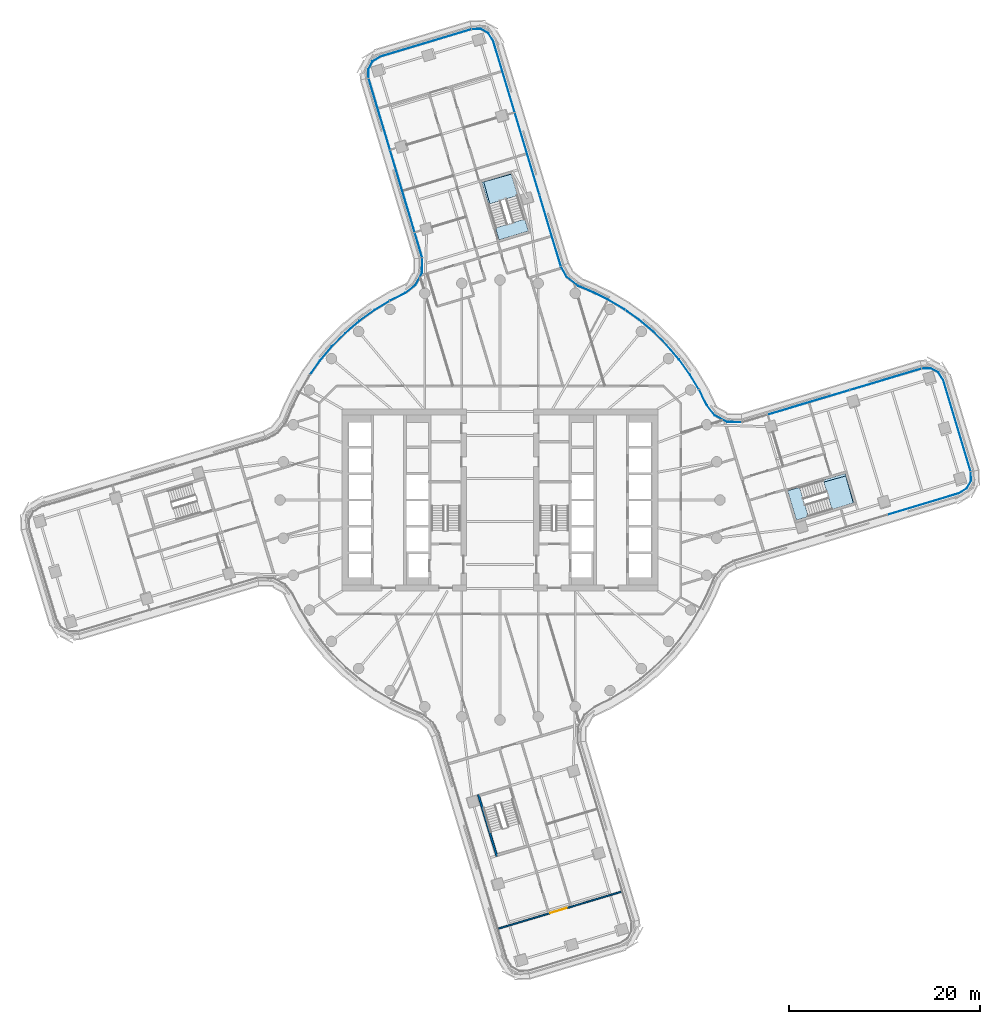
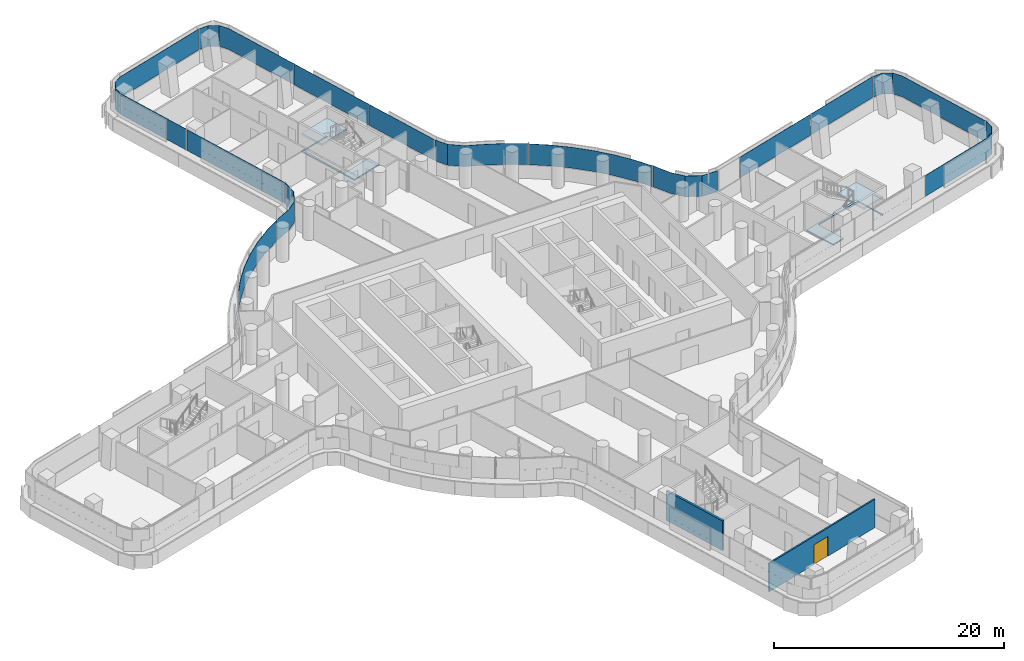
# One storey, part 17 of 32: 16 plates, 4 slabs, 2 walls, 1 door, 1 opening, 10 elements without a shape of their own.
"""IFC4 building model written with IfcOpenShell, lengths in metres."""

from ifc_helpers import new_model, si_unit, direction, frame, frame_2d, origin, place, context, subcontext, project, spatial, polyline, rectangle, outline, extrude, material, layer, layer_set, type_object, element, fill, aggregate, save


model = new_model("IFC4")

# Units and contexts
model_context = context("Model", 3, precision=1e-05, world=origin(), true_north=direction((0.0, 1.0)))
body_context = subcontext(model_context, "Body", "Model", "MODEL_VIEW")
ifc_project = project(units=[si_unit("LENGTHUNIT", "METRE"), si_unit("AREAUNIT", "SQUARE_METRE"), si_unit("VOLUMEUNIT", "CUBIC_METRE"), si_unit("PLANEANGLEUNIT", "RADIAN"), si_unit("MASSUNIT", "GRAM", prefix="KILO")], contexts=[model_context])

# Site, building, storey
site_placement = place(None, origin())
site = spatial("IfcSite", under=ifc_project, at=site_placement, CompositionType="ELEMENT")
building_placement = place(site_placement, origin())
building = spatial("IfcBuilding", under=site, at=building_placement, Name="Tamarind Cross Interchange Tower", CompositionType="ELEMENT")
storey_placement = place(building_placement, frame((0.0, 0.0, 94.75)))
storey = spatial("IfcBuildingStorey", under=building, at=storey_placement, Name="L22", CompositionType="ELEMENT", Elevation=94.75)

# Slabs
ifc_material_1 = material(Name="Concrete C35", Category="concrete")
ifc_layer_1 = layer(ifc_material_1, 0.139892578125)
ifc_layer_set_1 = layer_set([ifc_layer_1], Name="Concrete C35")
slab_type_1 = type_object("IfcSlabType", Name="Composite slab 140 Concrete C35", PredefinedType="FLOOR", material=ifc_layer_set_1)
slab_1_placement = place(storey_placement, frame((0.0, 0.0, -0.139892578125)))
element("IfcSlab", 1, at=slab_1_placement, inside=storey, type_object=slab_type_1, Name="Floor slab L22", PredefinedType="FLOOR", context=body_context, shape_type="SweptSolid", body=[
    extrude(outline(polyline([(1.1552734375, 34.1455078125), (-1.909423828125, 33.22509765625), (-0.097412109375, 27.19140625), (2.96728515625, 28.11181640625), (2.61376953125, 29.2890625), (2.590087890625, 29.368408203125), (-0.3642578125, 28.481201171875), (-1.70458984375, 33.258056640625), (1.1787109375, 34.06689453125), (1.1552734375, 34.1455078125)])), origin(), (0.0, 0.0, 1.0), 0.139892578125),
])
slab_2_placement = place(storey_placement, frame((0.0, 0.0, -0.139892578125)))
element("IfcSlab", 2, at=slab_2_placement, inside=storey, type_object=slab_type_1, Name="Floor slab L22", PredefinedType="FLOOR", context=body_context, shape_type="SweptSolid", body=[
    extrude(outline(polyline([(37.018798828125, -0.292236328125), (36.098388671875, 2.7724609375), (30.064697265625, 0.960205078125), (30.985107421875, -2.1044921875), (32.16259765625, -1.750732421875), (32.24169921875, -1.72705078125), (31.3701171875, 1.1748046875), (36.146484375, 2.514892578125), (36.940673828125, -0.31591796875), (37.018798828125, -0.292236328125)])), origin(), (0.0, 0.0, 1.0), 0.139892578125),
])

# Stair, slab
ifc_material_2 = material(Name="Exit stair")
stair_type = type_object("IfcStairType", Name="Exit stair", PredefinedType="HALF_TURN_STAIR", material=ifc_material_2)
stair_1_placement = place(storey_placement, origin())
stair_1 = element("IfcStair", 3, at=stair_1_placement, inside=storey, type_object=stair_type, Name="L22 exit stair ST3", PredefinedType="HALF_TURN_STAIR")
ifc_material_3 = material(Name="Concrete C40", Category="concrete")
ifc_layer_2 = layer(ifc_material_3, 0.199951171875)
ifc_layer_set_2 = layer_set([ifc_layer_2], Name="Concrete C40")
slab_type_2 = type_object("IfcSlabType", Name="Stair landing", PredefinedType="LANDING", material=ifc_layer_set_2)
slab_3_placement = place(storey_placement, frame((0.0, 0.0, 1.675048828125)))
slab_3 = element("IfcSlab", 4, at=slab_3_placement, type_object=slab_type_2, Name="ST3 landing 1", PredefinedType="LANDING", context=body_context, shape_type="SweptSolid", body=[
    extrude(outline(polyline([(34.708740234375, -0.986083984375), (37.018798828125, -0.292236328125), (36.098388671875, 2.7724609375), (33.788330078125, 2.07861328125), (34.708740234375, -0.986083984375)])), origin(), (0.0, 0.0, 1.0), 0.199951171875),
])
aggregate(stair_1, [slab_3])

stair_2_placement = place(storey_placement, origin())
stair_2 = element("IfcStair", 5, at=stair_2_placement, inside=storey, type_object=stair_type, Name="L22 exit stair ST4", PredefinedType="HALF_TURN_STAIR")
slab_4_placement = place(storey_placement, frame((0.0, 0.0, 1.675048828125)))
slab_4 = element("IfcSlab", 6, at=slab_4_placement, type_object=slab_type_2, Name="ST4 landing 1", PredefinedType="LANDING", context=body_context, shape_type="SweptSolid", body=[
    extrude(outline(polyline([(1.84912109375, 31.83544921875), (1.1552734375, 34.1455078125), (-1.909423828125, 33.22509765625), (-1.2158203125, 30.9150390625), (1.84912109375, 31.83544921875)])), origin(), (0.0, 0.0, 1.0), 0.199951171875),
])
aggregate(stair_2, [slab_4])

# Curtain wall, plate
ifc_material_4 = material(Name="Aluminium 6063-T6", Category="aluminium")
ifc_layer_3 = layer(ifc_material_4, 0.159912109375)
ifc_layer_set_3 = layer_set([ifc_layer_3], Name="Aluminium 6063-T6")
curtain_wall_type = type_object("IfcCurtainWallType", Name="Office curtain wall, 9.0 m bays", PredefinedType="NOTDEFINED", material=ifc_layer_set_3)
curtain_wall_1_placement = place(storey_placement, origin())
curtain_wall_1 = element("IfcCurtainWall", 7, at=curtain_wall_1_placement, inside=storey, type_object=curtain_wall_type, Name="CWS-L22-00", PredefinedType="NOTDEFINED")
ifc_material_5 = material(Name="Laminated low-e glass 8+1.52+8", Category="glass")
ifc_layer_4 = layer(ifc_material_5, 0.028076171875)
ifc_layer_set_4 = layer_set([ifc_layer_4], Name="Laminated low-e glass 8+1.52+8")
plate_type = type_object("IfcPlateType", Name="Vision panel CW1", PredefinedType="CURTAIN_PANEL", material=ifc_layer_set_4)
plate_1_placement = place(storey_placement, frame((0.0, 0.0, 1.39990234375)))
plate_1 = element("IfcPlate", 8, at=plate_1_placement, type_object=plate_type, Name="CWP-L22-00-00", PredefinedType="CURTAIN_PANEL", context=body_context, shape_type="SweptSolid", body=[
    extrude(outline(polyline([(-3.004638671875, 49.19140625), (-12.501220703125, 46.33935546875), (-13.30908203125, 45.840087890625), (-13.745361328125, 45.029541015625), (-13.7177734375, 44.108154296875), (-13.74560546875, 44.107177734375), (-13.7734375, 45.0361328125), (-13.330078125, 45.85986328125), (-12.5126953125, 46.365234375), (-3.0126953125, 49.21826171875), (-3.004638671875, 49.19140625)])), origin(), (0.0, 0.0, 1.0), 2.210205078125),
])
aggregate(curtain_wall_1, [plate_1])

# Curtain wall, plates
curtain_wall_2_placement = place(storey_placement, origin())
curtain_wall_2 = element("IfcCurtainWall", 9, at=curtain_wall_2_placement, inside=storey, type_object=curtain_wall_type, Name="CWS-L22-01", PredefinedType="NOTDEFINED")
plate_2_placement = place(storey_placement, frame((0.0, 0.0, 1.39990234375)))
plate_2 = element("IfcPlate", 10, at=plate_2_placement, type_object=plate_type, Name="CWP-L22-01-00", PredefinedType="CURTAIN_PANEL", context=body_context, shape_type="SweptSolid", body=[
    extrude(outline(polyline([(-13.708740234375, 44.052978515625), (-11.486328125, 36.615478515625), (-11.51318359375, 36.607421875), (-13.735595703125, 44.044921875), (-13.708740234375, 44.052978515625)])), origin(), (0.0, 0.0, 1.0), 2.210205078125),
])
plate_3_placement = place(storey_placement, frame((0.0, 0.0, 1.39990234375)))
plate_3 = element("IfcPlate", 11, at=plate_3_placement, type_object=plate_type, Name="CWP-L22-01-01", PredefinedType="CURTAIN_PANEL", context=body_context, shape_type="SweptSolid", body=[
    extrude(outline(polyline([(-11.46923828125, 36.55810546875), (-8.908935546875, 27.990234375), (-8.935791015625, 27.982177734375), (-11.49609375, 36.550048828125), (-11.46923828125, 36.55810546875)])), origin(), (0.0, 0.0, 1.0), 2.210205078125),
])
plate_4_placement = place(storey_placement, frame((0.0, 0.0, 1.39990234375)))
plate_4 = element("IfcPlate", 12, at=plate_4_placement, type_object=plate_type, Name="CWP-L22-01-02", PredefinedType="CURTAIN_PANEL", context=body_context, shape_type="SweptSolid", body=[
    extrude(outline(polyline([(-8.891845703125, 27.9326171875), (-8.12255859375, 25.358154296875), (-8.1494140625, 25.35009765625), (-8.918701171875, 27.924560546875), (-8.891845703125, 27.9326171875)])), origin(), (0.0, 0.0, 1.0), 2.210205078125),
])
aggregate(curtain_wall_2, [plate_2, plate_3, plate_4])

curtain_wall_3_placement = place(storey_placement, origin())
curtain_wall_3 = element("IfcCurtainWall", 13, at=curtain_wall_3_placement, inside=storey, type_object=curtain_wall_type, Name="CWS-L22-02", PredefinedType="NOTDEFINED")
plate_5_placement = place(storey_placement, frame((0.0, 0.0, 1.39990234375)))
plate_5 = element("IfcPlate", 14, at=plate_5_placement, type_object=plate_type, Name="CWP-L22-02-00", PredefinedType="CURTAIN_PANEL", context=body_context, shape_type="SweptSolid", body=[
    extrude(outline(polyline([(-8.11376953125, 25.295166015625), (-8.135986328125, 23.751220703125), (-8.827880859375, 22.45361328125), (-9.880615234375, 21.623291015625), (-11.40869140625, 20.866455078125), (-11.52880859375, 20.794189453125), (-11.543212890625, 20.818359375), (-11.422119140625, 20.89111328125), (-9.895751953125, 21.64697265625), (-8.849853515625, 22.47216796875), (-8.163818359375, 23.75830078125), (-8.141845703125, 25.29541015625), (-8.11376953125, 25.295166015625)])), origin(), (0.0, 0.0, 1.0), 2.210205078125),
])
plate_6_placement = place(storey_placement, frame((0.0, 0.0, 1.39990234375)))
plate_6 = element("IfcPlate", 15, at=plate_6_placement, type_object=plate_type, Name="CWP-L22-02-01", PredefinedType="CURTAIN_PANEL", context=body_context, shape_type="SweptSolid", body=[
    extrude(outline(polyline([(-11.580322265625, 20.763427734375), (-13.093017578125, 19.85302734375), (-14.687744140625, 18.7041015625), (-16.18212890625, 17.42724609375), (-17.56591796875, 16.031494140625), (-18.829833984375, 14.526123046875), (-19.829345703125, 13.113525390625), (-19.85205078125, 13.129638671875), (-18.85205078125, 14.543212890625), (-17.586669921875, 16.05029296875), (-16.201171875, 17.44775390625), (-14.705078125, 18.72607421875), (-13.1083984375, 19.87646484375), (-11.5947265625, 20.787353515625), (-11.580322265625, 20.763427734375)])), origin(), (0.0, 0.0, 1.0), 2.210205078125),
])
aggregate(curtain_wall_3, [plate_5, plate_6])

# Curtain wall, plate
curtain_wall_4_placement = place(storey_placement, origin())
curtain_wall_4 = element("IfcCurtainWall", 16, at=curtain_wall_4_placement, inside=storey, type_object=curtain_wall_type, Name="CWS-L22-11", PredefinedType="NOTDEFINED")
plate_7_placement = place(storey_placement, frame((0.0, 0.0, 1.39990234375)))
plate_7 = element("IfcPlate", 17, at=plate_7_placement, type_object=plate_type, Name="CWP-L22-11-02", PredefinedType="CURTAIN_PANEL", context=body_context, shape_type="SweptSolid", body=[
    extrude(outline(polyline([(40.526123046875, -1.521484375), (47.98388671875, 0.718505859375), (48.7919921875, 1.2177734375), (49.22802734375, 2.0283203125), (49.200439453125, 2.94970703125), (49.228515625, 2.950439453125), (49.25634765625, 2.021728515625), (48.81298828125, 1.19775390625), (47.99560546875, 0.692626953125), (40.5341796875, -1.54833984375), (40.526123046875, -1.521484375)])), origin(), (0.0, 0.0, 1.0), 2.210205078125),
])
aggregate(curtain_wall_4, [plate_7])

curtain_wall_5_placement = place(storey_placement, origin())
curtain_wall_5 = element("IfcCurtainWall", 18, at=curtain_wall_5_placement, inside=storey, type_object=curtain_wall_type, Name="CWS-L22-12", PredefinedType="NOTDEFINED")
plate_8_placement = place(storey_placement, frame((0.0, 0.0, 1.39990234375)))
plate_8 = element("IfcPlate", 19, at=plate_8_placement, type_object=plate_type, Name="CWP-L22-12-00", PredefinedType="CURTAIN_PANEL", context=body_context, shape_type="SweptSolid", body=[
    extrude(outline(polyline([(49.19140625, 3.004638671875), (46.33935546875, 12.501220703125), (45.840087890625, 13.30908203125), (45.029541015625, 13.745361328125), (44.108154296875, 13.7177734375), (44.107177734375, 13.74560546875), (45.0361328125, 13.7734375), (45.85986328125, 13.330078125), (46.365234375, 12.5126953125), (49.21826171875, 3.0126953125), (49.19140625, 3.004638671875)])), origin(), (0.0, 0.0, 1.0), 2.210205078125),
])
aggregate(curtain_wall_5, [plate_8])

# Curtain wall, plates
curtain_wall_6_placement = place(storey_placement, origin())
curtain_wall_6 = element("IfcCurtainWall", 20, at=curtain_wall_6_placement, inside=storey, type_object=curtain_wall_type, Name="CWS-L22-13", PredefinedType="NOTDEFINED")
plate_9_placement = place(storey_placement, frame((0.0, 0.0, 1.39990234375)))
plate_9 = element("IfcPlate", 21, at=plate_9_placement, type_object=plate_type, Name="CWP-L22-13-00", PredefinedType="CURTAIN_PANEL", context=body_context, shape_type="SweptSolid", body=[
    extrude(outline(polyline([(44.052978515625, 13.708740234375), (36.615478515625, 11.486328125), (36.607421875, 11.51318359375), (44.044921875, 13.735595703125), (44.052978515625, 13.708740234375)])), origin(), (0.0, 0.0, 1.0), 2.210205078125),
])
plate_10_placement = place(storey_placement, frame((0.0, 0.0, 1.39990234375)))
plate_10 = element("IfcPlate", 22, at=plate_10_placement, type_object=plate_type, Name="CWP-L22-13-01", PredefinedType="CURTAIN_PANEL", context=body_context, shape_type="SweptSolid", body=[
    extrude(outline(polyline([(36.55810546875, 11.46923828125), (27.990234375, 8.908935546875), (27.982177734375, 8.935791015625), (36.550048828125, 11.49609375), (36.55810546875, 11.46923828125)])), origin(), (0.0, 0.0, 1.0), 2.210205078125),
])
aggregate(curtain_wall_6, [plate_9, plate_10])

curtain_wall_7_placement = place(storey_placement, origin())
curtain_wall_7 = element("IfcCurtainWall", 23, at=curtain_wall_7_placement, inside=storey, type_object=curtain_wall_type, Name="CWS-L22-14", PredefinedType="NOTDEFINED")
plate_11_placement = place(storey_placement, frame((0.0, 0.0, 1.39990234375)))
plate_11 = element("IfcPlate", 24, at=plate_11_placement, type_object=plate_type, Name="CWP-L22-14-00", PredefinedType="CURTAIN_PANEL", context=body_context, shape_type="SweptSolid", body=[
    extrude(outline(polyline([(25.295166015625, 8.11376953125), (23.751220703125, 8.135986328125), (22.45361328125, 8.827880859375), (21.623291015625, 9.880615234375), (20.866455078125, 11.40869140625), (20.794189453125, 11.52880859375), (20.818359375, 11.543212890625), (20.89111328125, 11.422119140625), (21.64697265625, 9.895751953125), (22.47216796875, 8.849853515625), (23.75830078125, 8.163818359375), (25.29541015625, 8.141845703125), (25.295166015625, 8.11376953125)])), origin(), (0.0, 0.0, 1.0), 2.210205078125),
])
plate_12_placement = place(storey_placement, frame((0.0, 0.0, 1.39990234375)))
plate_12 = element("IfcPlate", 25, at=plate_12_placement, type_object=plate_type, Name="CWP-L22-14-01", PredefinedType="CURTAIN_PANEL", context=body_context, shape_type="SweptSolid", body=[
    extrude(outline(polyline([(20.763427734375, 11.580322265625), (19.85302734375, 13.093017578125), (18.7041015625, 14.687744140625), (17.42724609375, 16.18212890625), (16.031494140625, 17.56591796875), (14.526123046875, 18.829833984375), (13.113525390625, 19.829345703125), (13.129638671875, 19.85205078125), (14.543212890625, 18.85205078125), (16.05029296875, 17.586669921875), (17.44775390625, 16.201171875), (18.72607421875, 14.705078125), (19.87646484375, 13.1083984375), (20.787353515625, 11.5947265625), (20.763427734375, 11.580322265625)])), origin(), (0.0, 0.0, 1.0), 2.210205078125),
])
plate_13_placement = place(storey_placement, frame((0.0, 0.0, 1.39990234375)))
plate_13 = element("IfcPlate", 26, at=plate_13_placement, type_object=plate_type, Name="CWP-L22-14-02", PredefinedType="CURTAIN_PANEL", context=body_context, shape_type="SweptSolid", body=[
    extrude(outline(polyline([(13.064453125, 19.864013671875), (12.921630859375, 19.965087890625), (11.228759765625, 20.9638671875), (9.45703125, 21.82080078125), (8.166015625, 22.352294921875), (6.974609375, 23.292236328125), (6.369873046875, 24.405029296875), (6.39453125, 24.41845703125), (6.99658203125, 23.310546875), (8.18017578125, 22.376708984375), (9.468505859375, 21.84619140625), (11.241943359375, 20.98876953125), (12.936767578125, 19.988525390625), (13.080810546875, 19.88671875), (13.064453125, 19.864013671875)])), origin(), (0.0, 0.0, 1.0), 2.210205078125),
])
aggregate(curtain_wall_7, [plate_11, plate_12, plate_13])

curtain_wall_8_placement = place(storey_placement, origin())
curtain_wall_8 = element("IfcCurtainWall", 27, at=curtain_wall_8_placement, inside=storey, type_object=curtain_wall_type, Name="CWS-L22-15", PredefinedType="NOTDEFINED")
plate_14_placement = place(storey_placement, frame((0.0, 0.0, 1.39990234375)))
plate_14 = element("IfcPlate", 28, at=plate_14_placement, type_object=plate_type, Name="CWP-L22-15-00", PredefinedType="CURTAIN_PANEL", context=body_context, shape_type="SweptSolid", body=[
    extrude(outline(polyline([(6.345703125, 24.462890625), (4.126953125, 31.850830078125), (4.15380859375, 31.85888671875), (6.37255859375, 24.470947265625), (6.345703125, 24.462890625)])), origin(), (0.0, 0.0, 1.0), 2.210205078125),
])
plate_15_placement = place(storey_placement, frame((0.0, 0.0, 1.39990234375)))
plate_15 = element("IfcPlate", 29, at=plate_15_placement, type_object=plate_type, Name="CWP-L22-15-01", PredefinedType="CURTAIN_PANEL", context=body_context, shape_type="SweptSolid", body=[
    extrude(outline(polyline([(4.109619140625, 31.908447265625), (1.53857421875, 40.46875), (1.5654296875, 40.476806640625), (4.136474609375, 31.91650390625), (4.109619140625, 31.908447265625)])), origin(), (0.0, 0.0, 1.0), 2.210205078125),
])
plate_16_placement = place(storey_placement, frame((0.0, 0.0, 1.39990234375)))
plate_16 = element("IfcPlate", 30, at=plate_16_placement, type_object=plate_type, Name="CWP-L22-15-02", PredefinedType="CURTAIN_PANEL", context=body_context, shape_type="SweptSolid", body=[
    extrude(outline(polyline([(1.521484375, 40.526123046875), (-0.718505859375, 47.98388671875), (-1.2177734375, 48.7919921875), (-2.0283203125, 49.22802734375), (-2.94970703125, 49.200439453125), (-2.950439453125, 49.228515625), (-2.021728515625, 49.25634765625), (-1.19775390625, 48.81298828125), (-0.692626953125, 47.99560546875), (1.54833984375, 40.5341796875), (1.521484375, 40.526123046875)])), origin(), (0.0, 0.0, 1.0), 2.210205078125),
])
aggregate(curtain_wall_8, [plate_14, plate_15, plate_16])

# Wall, opening, door
ifc_material_6 = material(Name="Gypsum board partition on steel studs", Category="steel")
ifc_layer_5 = layer(ifc_material_6, 0.14990234375)
ifc_layer_set_5 = layer_set([ifc_layer_5], Name="Gypsum board partition on steel studs")
wall_type_1 = type_object("IfcWallType", Name="Partition 150 mm EI 120", PredefinedType="PARTITIONING", material=ifc_layer_set_5)
wall_1_placement = place(storey_placement, frame((-0.145263671875, -44.805908203125, 0.0), z_axis=(0.0, 0.0, 1.0), x_axis=(0.957726458971, 0.28768042997, 0.0)))
wall_1 = element("IfcWall", 31, at=wall_1_placement, inside=storey, type_object=wall_type_1, Name="Partition L22-064", PredefinedType="PARTITIONING", context=body_context, shape_type="SweptSolid", body=[
    extrude(rectangle(XDim=13.40283203125, YDim=0.14990234375, at=frame_2d((6.701416015625, 0.0))), origin(), (0.0, 0.0, 1.0), 3.010009765625),
])
opening_placement = place(wall_1_placement, frame((5.648681640625, 0.0, 0.0)))
opening = element("IfcOpeningElement", 32, at=opening_placement, cuts=wall_1, Name="Opening D36", PredefinedType="OPENING", context=body_context, shape_type="SweptSolid", body=[
    extrude(rectangle(XDim=1.800048828125, YDim=2.10009765625, at=frame_2d((0.89990234375, 1.050048828125))), frame((0.0, 0.0849609375, 0.0), z_axis=(0.0, -1.0, 0.0), x_axis=(1.0, 0.0, 0.0)), (0.0, 0.0, 1.0), 0.169921875),
])
ifc_material_7 = material(Name="Fire-resisting door set")
door_type = type_object("IfcDoorType", Name="Interior door 1800 x 2100 FD60S", OperationType="DOUBLE_DOOR_SINGLE_SWING", PredefinedType="DOOR", material=ifc_material_7)
door_placement = place(opening_placement, frame((1.800048828125, 0.0, 0.0), z_axis=(0.0, 0.0, 1.0), x_axis=(-1.0, 0.0, 0.0)))
door = element("IfcDoor", 33, at=door_placement, inside=storey, type_object=door_type, Name="Door D36", OperationType="DOUBLE_DOOR_SINGLE_SWING", OverallHeight=2.10009765625, OverallWidth=1.800048828125, PredefinedType="DOOR", context=body_context, shape_type="SweptSolid", body=[
    extrude(rectangle(XDim=1.800048828125, YDim=2.10009765625, at=frame_2d((0.89990234375, 1.050048828125))), frame((0.0, 0.02490234375, 0.0), z_axis=(0.0, -1.0, 0.0), x_axis=(1.0, 0.0, 0.0)), (0.0, 0.0, 1.0), 0.050048828125),
])
fill(opening, door)

# Wall
ifc_layer_6 = layer(ifc_material_3, 0.199951171875)
ifc_layer_set_6 = layer_set([ifc_layer_6], Name="Concrete C40")
wall_type_2 = type_object("IfcWallType", Name="Stair shaft wall 200 mm Concrete C40", PredefinedType="SHEAR", material=ifc_layer_set_6)
wall_2_placement = place(storey_placement, frame((-2.2578125, -30.822265625, -0.139892578125), z_axis=(0.0, 0.0, 1.0), x_axis=(0.287652089352, -0.957734971426, 0.0)))
element("IfcWall", 34, at=wall_2_placement, inside=storey, type_object=wall_type_2, Name="Core wall CWL-L22-ST6-C", PredefinedType="SHEAR", context=body_context, shape_type="SweptSolid", body=[
    extrude(rectangle(XDim=6.699951171875, YDim=0.199951171875, at=frame_2d((3.35009765625, 0.0))), origin(), (0.0, 0.0, 1.0), 3.14990234375),
])

save(model, "model.ifc")
